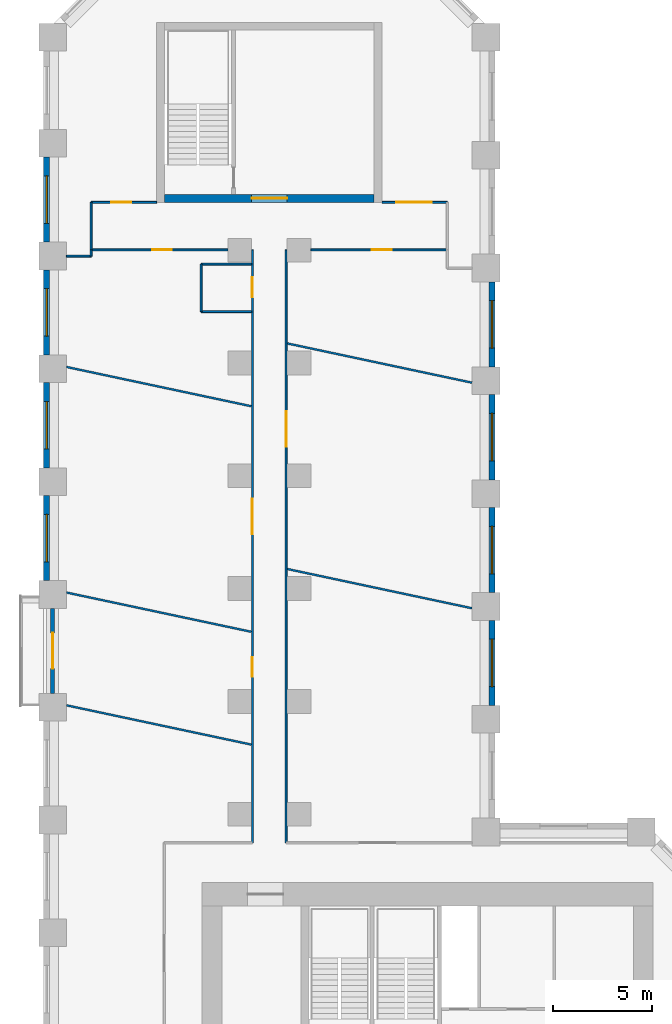
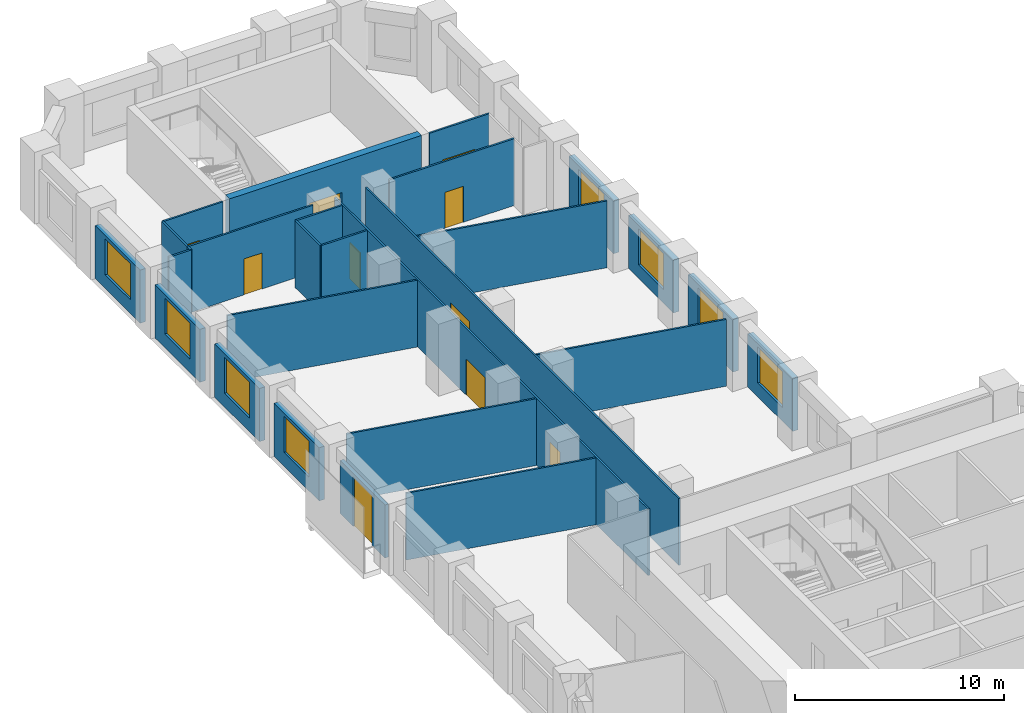
# One storey, part 8 of 11: 27 walls, 10 doors, 8 windows, 18 openings.
"""IFC4 building model written with IfcOpenShell, lengths in metres."""

from ifc_helpers import new_model, si_unit, direction, frame, frame_2d, origin, place, context, subcontext, project, spatial, rectangle, extrude, material, layer, layer_set, type_object, element, fill, save


model = new_model("IFC4")

# Units and contexts
model_context = context("Model", 3, precision=1e-05, world=origin(), true_north=direction((0.0, 1.0)))
body_context = subcontext(model_context, "Body", "Model", "MODEL_VIEW")
ifc_project = project(units=[si_unit("LENGTHUNIT", "METRE"), si_unit("AREAUNIT", "SQUARE_METRE"), si_unit("VOLUMEUNIT", "CUBIC_METRE"), si_unit("PLANEANGLEUNIT", "RADIAN"), si_unit("MASSUNIT", "GRAM", prefix="KILO")], contexts=[model_context])

# Site, building, storey
site_placement = place(None, origin())
site = spatial("IfcSite", under=ifc_project, at=site_placement, CompositionType="ELEMENT")
building_placement = place(site_placement, origin())
building = spatial("IfcBuilding", under=site, at=building_placement, Name="Meshkara Civic Tower", CompositionType="ELEMENT")
storey_placement = place(building_placement, frame((0.0, 0.0, 37.199951171875)))
storey = spatial("IfcBuildingStorey", under=building, at=storey_placement, Name="L07", CompositionType="ELEMENT", Elevation=37.199951171875)

# Wall, opening, door
ifc_material_1 = material(Name="Corridor wall 100")
ifc_layer_1 = layer(ifc_material_1, 0.10009765625)
ifc_layer_set_1 = layer_set([ifc_layer_1], Name="Corridor wall 100")
wall_type_1 = type_object("IfcWallType", Name="Corridor wall 100", PredefinedType="PARTITIONING", material=ifc_layer_set_1)
wall_1_placement = place(storey_placement, frame((2.39990234375, 68.8701171875, 0.0), z_axis=(0.0, 0.0, 1.0), x_axis=(1.0, 0.0, 0.0)))
wall_1 = element("IfcWall", 1, at=wall_1_placement, inside=storey, type_object=wall_type_1, Name="L07-W001", PredefinedType="PARTITIONING", context=body_context, shape_type="SweptSolid", body=[
    extrude(rectangle(XDim=6.900146484375, YDim=0.10009765625, at=frame_2d((3.4501953125, 0.0))), origin(), (0.0, 0.0, 1.0), 3.900146484375),
])
opening_1_placement = place(wall_1_placement, frame((3.080078125, 0.0, 0.0)))
opening_1 = element("IfcOpeningElement", 2, at=opening_1_placement, cuts=wall_1, Name="Opening L07-D024", PredefinedType="OPENING", context=body_context, shape_type="SweptSolid", body=[
    extrude(rectangle(XDim=1.0, YDim=2.10009765625, at=frame_2d((0.5, 1.050048828125))), frame((0.0, 0.06005859375, 0.0), z_axis=(0.0, -1.0, 0.0), x_axis=(1.0, 0.0, 0.0)), (0.0, 0.0, 1.0), 0.1201171875),
])
ifc_material_2 = material(Name="Door 1000 x 2100")
door_type_1 = type_object("IfcDoorType", Name="Door 1000 x 2100", OperationType="SINGLE_SWING_LEFT", PredefinedType="DOOR", material=ifc_material_2)
door_1_placement = place(opening_1_placement, origin())
door_1 = element("IfcDoor", 3, at=door_1_placement, inside=storey, type_object=door_type_1, Name="L07-D024", OperationType="SINGLE_SWING_LEFT", OverallHeight=2.10009765625, OverallWidth=1.0, PredefinedType="DOOR", context=body_context, shape_type="SweptSolid", body=[
    extrude(rectangle(XDim=1.0, YDim=2.10009765625, at=frame_2d((0.5, 1.050048828125))), frame((0.0, 0.02490234375, 0.0), z_axis=(0.0, -1.0, 0.0), x_axis=(1.0, 0.0, 0.0)), (0.0, 0.0, 1.0), 0.050048828125),
])
fill(opening_1, door_1)

# Wall
wall_2_placement = place(storey_placement, frame((2.39990234375, 71.27001953125, 0.0), z_axis=(0.0, 0.0, 1.0), x_axis=(0.0, -1.0, 0.0)))
element("IfcWall", 4, at=wall_2_placement, inside=storey, type_object=wall_type_1, Name="L07-W002", PredefinedType="PARTITIONING", context=body_context, shape_type="SweptSolid", body=[
    extrude(rectangle(XDim=2.39990234375, YDim=0.10009765625, at=frame_2d((1.199951171875, 0.0))), origin(), (0.0, 0.0, 1.0), 3.900146484375),
])

# Wall, opening, door
wall_3_placement = place(storey_placement, frame((5.699951171875, 71.27001953125, 0.0), z_axis=(0.0, 0.0, 1.0), x_axis=(-1.0, 0.0, 0.0)))
wall_3 = element("IfcWall", 5, at=wall_3_placement, inside=storey, type_object=wall_type_1, Name="L07-W003", PredefinedType="PARTITIONING", context=body_context, shape_type="SweptSolid", body=[
    extrude(rectangle(XDim=3.300048828125, YDim=0.10009765625, at=frame_2d((1.64990234375, 0.0))), origin(), (0.0, 0.0, 1.0), 3.900146484375),
])
opening_2_placement = place(wall_3_placement, frame((1.280029296875, 0.0, 0.0)))
opening_2 = element("IfcOpeningElement", 6, at=opening_2_placement, cuts=wall_3, Name="Opening L07-D023", PredefinedType="OPENING", context=body_context, shape_type="SweptSolid", body=[
    extrude(rectangle(XDim=1.0, YDim=2.10009765625, at=frame_2d((0.5, 1.050048828125))), frame((0.0, 0.06005859375, 0.0), z_axis=(0.0, -1.0, 0.0), x_axis=(1.0, 0.0, 0.0)), (0.0, 0.0, 1.0), 0.1201171875),
])
door_2_placement = place(opening_2_placement, origin())
door_2 = element("IfcDoor", 7, at=door_2_placement, inside=storey, type_object=door_type_1, Name="L07-D023", OperationType="SINGLE_SWING_LEFT", OverallHeight=2.10009765625, OverallWidth=1.0, PredefinedType="DOOR", context=body_context, shape_type="SweptSolid", body=[
    extrude(rectangle(XDim=1.0, YDim=2.10009765625, at=frame_2d((0.5, 1.050048828125))), frame((0.0, 0.02490234375, 0.0), z_axis=(0.0, -1.0, 0.0), x_axis=(1.0, 0.0, 0.0)), (0.0, 0.0, 1.0), 0.050048828125),
])
fill(opening_2, door_2)

# Wall, openings, doors
wall_4_placement = place(storey_placement, frame((10.550048828125, 68.8701171875, 0.0), z_axis=(0.0, 0.0, 1.0), x_axis=(0.0, -1.0, 0.0)))
wall_4 = element("IfcWall", 8, at=wall_4_placement, inside=storey, type_object=wall_type_1, Name="L07-W012", PredefinedType="PARTITIONING", context=body_context, shape_type="SweptSolid", body=[
    extrude(rectangle(XDim=29.97021484375, YDim=0.10009765625, at=frame_2d((14.985107421875, 0.0))), origin(), (0.0, 0.0, 1.0), 3.900146484375),
])
opening_3_placement = place(wall_4_placement, frame((20.583984375, 0.0, 0.0)))
opening_3 = element("IfcOpeningElement", 9, at=opening_3_placement, cuts=wall_4, Name="Opening L07-D020", PredefinedType="OPENING", context=body_context, shape_type="SweptSolid", body=[
    extrude(rectangle(XDim=1.0, YDim=2.10009765625, at=frame_2d((0.5, 1.050048828125))), frame((0.0, 0.06005859375, 0.0), z_axis=(0.0, -1.0, 0.0), x_axis=(1.0, 0.0, 0.0)), (0.0, 0.0, 1.0), 0.1201171875),
])
opening_4_placement = place(wall_4_placement, frame((12.583984375, 0.0, 0.0)))
opening_4 = element("IfcOpeningElement", 10, at=opening_4_placement, cuts=wall_4, Name="Opening L07-D021", PredefinedType="OPENING", context=body_context, shape_type="SweptSolid", body=[
    extrude(rectangle(XDim=1.800048828125, YDim=2.10009765625, at=frame_2d((0.89990234375, 1.050048828125))), frame((0.0, 0.06005859375, 0.0), z_axis=(0.0, -1.0, 0.0), x_axis=(1.0, 0.0, 0.0)), (0.0, 0.0, 1.0), 0.1201171875),
])
opening_5_placement = place(wall_4_placement, frame((1.39697265625, 0.0, 0.0)))
opening_5 = element("IfcOpeningElement", 11, at=opening_5_placement, cuts=wall_4, Name="Opening L07-D025", PredefinedType="OPENING", context=body_context, shape_type="SweptSolid", body=[
    extrude(rectangle(XDim=1.0, YDim=2.10009765625, at=frame_2d((0.5, 1.050048828125))), frame((0.0, 0.06005859375, 0.0), z_axis=(0.0, -1.0, 0.0), x_axis=(1.0, 0.0, 0.0)), (0.0, 0.0, 1.0), 0.1201171875),
])
door_3_placement = place(opening_3_placement, origin())
door_3 = element("IfcDoor", 12, at=door_3_placement, inside=storey, type_object=door_type_1, Name="L07-D020", OperationType="SINGLE_SWING_RIGHT", OverallHeight=2.10009765625, OverallWidth=1.0, PredefinedType="DOOR", context=body_context, shape_type="SweptSolid", body=[
    extrude(rectangle(XDim=1.0, YDim=2.10009765625, at=frame_2d((0.5, 1.050048828125))), frame((0.0, 0.02490234375, 0.0), z_axis=(0.0, -1.0, 0.0), x_axis=(1.0, 0.0, 0.0)), (0.0, 0.0, 1.0), 0.050048828125),
])
fill(opening_3, door_3)
door_4_placement = place(opening_5_placement, origin())
door_4 = element("IfcDoor", 13, at=door_4_placement, inside=storey, type_object=door_type_1, Name="L07-D025", OperationType="SINGLE_SWING_RIGHT", OverallHeight=2.10009765625, OverallWidth=1.0, PredefinedType="DOOR", context=body_context, shape_type="SweptSolid", body=[
    extrude(rectangle(XDim=1.0, YDim=2.10009765625, at=frame_2d((0.5, 1.050048828125))), frame((0.0, 0.02490234375, 0.0), z_axis=(0.0, -1.0, 0.0), x_axis=(1.0, 0.0, 0.0)), (0.0, 0.0, 1.0), 0.050048828125),
])
fill(opening_5, door_4)
ifc_material_3 = material(Name="Door pair 1800 x 2100")
door_type_2 = type_object("IfcDoorType", Name="Door pair 1800 x 2100", OperationType="SINGLE_SWING_LEFT", PredefinedType="DOOR", material=ifc_material_3)
door_5_placement = place(opening_4_placement, origin())
door_5 = element("IfcDoor", 14, at=door_5_placement, inside=storey, type_object=door_type_2, Name="L07-D021", OperationType="DOUBLE_DOOR_SINGLE_SWING", OverallHeight=2.10009765625, OverallWidth=1.800048828125, PredefinedType="DOOR", context=body_context, shape_type="SweptSolid", body=[
    extrude(rectangle(XDim=1.800048828125, YDim=2.10009765625, at=frame_2d((0.89990234375, 1.050048828125))), frame((0.0, 0.02490234375, 0.0), z_axis=(0.0, -1.0, 0.0), x_axis=(1.0, 0.0, 0.0)), (0.0, 0.0, 1.0), 0.050048828125),
])
fill(opening_4, door_5)

# Wall, opening, door
wall_5_placement = place(storey_placement, frame((12.25, 38.89990234375, 0.0), z_axis=(0.0, 0.0, 1.0), x_axis=(0.0, 1.0, 0.0)))
wall_5 = element("IfcWall", 15, at=wall_5_placement, inside=storey, type_object=wall_type_1, Name="L07-W013", PredefinedType="PARTITIONING", context=body_context, shape_type="SweptSolid", body=[
    extrude(rectangle(XDim=29.97021484375, YDim=0.10009765625, at=frame_2d((14.985107421875, 0.0))), origin(), (0.0, 0.0, 1.0), 3.900146484375),
])
opening_6_placement = place(wall_5_placement, frame((20.02001953125, 0.0, 0.0)))
opening_6 = element("IfcOpeningElement", 16, at=opening_6_placement, cuts=wall_5, Name="Opening L07-D022", PredefinedType="OPENING", context=body_context, shape_type="SweptSolid", body=[
    extrude(rectangle(XDim=1.800048828125, YDim=2.10009765625, at=frame_2d((0.89990234375, 1.050048828125))), frame((0.0, 0.06005859375, 0.0), z_axis=(0.0, -1.0, 0.0), x_axis=(1.0, 0.0, 0.0)), (0.0, 0.0, 1.0), 0.1201171875),
])
door_6_placement = place(opening_6_placement, origin())
door_6 = element("IfcDoor", 17, at=door_6_placement, inside=storey, type_object=door_type_2, Name="L07-D022", OperationType="DOUBLE_DOOR_SINGLE_SWING", OverallHeight=2.10009765625, OverallWidth=1.800048828125, PredefinedType="DOOR", context=body_context, shape_type="SweptSolid", body=[
    extrude(rectangle(XDim=1.800048828125, YDim=2.10009765625, at=frame_2d((0.89990234375, 1.050048828125))), frame((0.0, 0.02490234375, 0.0), z_axis=(0.0, -1.0, 0.0), x_axis=(1.0, 0.0, 0.0)), (0.0, 0.0, 1.0), 0.050048828125),
])
fill(opening_6, door_6)

wall_6_placement = place(storey_placement, frame((13.5, 68.8701171875, 0.0), z_axis=(0.0, 0.0, 1.0), x_axis=(1.0, 0.0, 0.0)))
wall_6 = element("IfcWall", 18, at=wall_6_placement, inside=storey, type_object=wall_type_1, Name="L07-W015", PredefinedType="PARTITIONING", context=body_context, shape_type="SweptSolid", body=[
    extrude(rectangle(XDim=6.89990234375, YDim=0.10009765625, at=frame_2d((3.449951171875, 0.0))), origin(), (0.0, 0.0, 1.0), 3.900146484375),
])
opening_7_placement = place(wall_6_placement, frame((3.080078125, 0.0, 0.0)))
opening_7 = element("IfcOpeningElement", 19, at=opening_7_placement, cuts=wall_6, Name="Opening L07-D026", PredefinedType="OPENING", context=body_context, shape_type="SweptSolid", body=[
    extrude(rectangle(XDim=1.0, YDim=2.10009765625, at=frame_2d((0.5, 1.050048828125))), frame((0.0, 0.06005859375, 0.0), z_axis=(0.0, -1.0, 0.0), x_axis=(1.0, 0.0, 0.0)), (0.0, 0.0, 1.0), 0.1201171875),
])
door_7_placement = place(opening_7_placement, origin())
door_7 = element("IfcDoor", 20, at=door_7_placement, inside=storey, type_object=door_type_1, Name="L07-D026", OperationType="SINGLE_SWING_LEFT", OverallHeight=2.10009765625, OverallWidth=1.0, PredefinedType="DOOR", context=body_context, shape_type="SweptSolid", body=[
    extrude(rectangle(XDim=1.0, YDim=2.10009765625, at=frame_2d((0.5, 1.050048828125))), frame((0.0, 0.02490234375, 0.0), z_axis=(0.0, -1.0, 0.0), x_axis=(1.0, 0.0, 0.0)), (0.0, 0.0, 1.0), 0.050048828125),
])
fill(opening_7, door_7)

wall_7_placement = place(storey_placement, frame((20.39990234375, 71.27001953125, 0.0), z_axis=(0.0, 0.0, 1.0), x_axis=(-1.0, 0.0, 0.0)))
wall_7 = element("IfcWall", 21, at=wall_7_placement, inside=storey, type_object=wall_type_1, Name="L07-W017", PredefinedType="PARTITIONING", context=body_context, shape_type="SweptSolid", body=[
    extrude(rectangle(XDim=3.2998046875, YDim=0.10009765625, at=frame_2d((1.64990234375, 0.0))), origin(), (0.0, 0.0, 1.0), 3.900146484375),
])
opening_8_placement = place(wall_7_placement, frame((0.780029296875, 0.0, 0.0)))
opening_8 = element("IfcOpeningElement", 22, at=opening_8_placement, cuts=wall_7, Name="Opening L07-D027", PredefinedType="OPENING", context=body_context, shape_type="SweptSolid", body=[
    extrude(rectangle(XDim=1.800048828125, YDim=2.10009765625, at=frame_2d((0.89990234375, 1.050048828125))), frame((0.0, 0.06005859375, 0.0), z_axis=(0.0, -1.0, 0.0), x_axis=(1.0, 0.0, 0.0)), (0.0, 0.0, 1.0), 0.1201171875),
])
door_8_placement = place(opening_8_placement, origin())
door_8 = element("IfcDoor", 23, at=door_8_placement, inside=storey, type_object=door_type_2, Name="L07-D027", OperationType="DOUBLE_DOOR_SINGLE_SWING", OverallHeight=2.10009765625, OverallWidth=1.800048828125, PredefinedType="DOOR", context=body_context, shape_type="SweptSolid", body=[
    extrude(rectangle(XDim=1.800048828125, YDim=2.10009765625, at=frame_2d((0.89990234375, 1.050048828125))), frame((0.0, 0.02490234375, 0.0), z_axis=(0.0, -1.0, 0.0), x_axis=(1.0, 0.0, 0.0)), (0.0, 0.0, 1.0), 0.050048828125),
])
fill(opening_8, door_8)

# Wall, opening, window
ifc_material_4 = material(Name="Insulated infill panel with bronze anodised aluminium cladding", Category="aluminium")
ifc_layer_2 = layer(ifc_material_4, 0.300048828125)
ifc_layer_set_2 = layer_set([ifc_layer_2], Name="EXTERNAL INFILL WALL 300")
wall_type_2 = type_object("IfcWallType", Name="EXTERNAL INFILL WALL 300", PredefinedType="SOLIDWALL", material=ifc_layer_set_2)
wall_8_placement = place(storey_placement, frame((22.64990234375, 45.85009765625, 0.0), z_axis=(0.0, 0.0, 1.0), x_axis=(0.0, 1.0, 0.0)))
wall_8 = element("IfcWall", 24, at=wall_8_placement, inside=storey, type_object=wall_type_2, Name="External wall", PredefinedType="SOLIDWALL", context=body_context, shape_type="SweptSolid", body=[
    extrude(rectangle(XDim=4.2998046875, YDim=0.300048828125, at=frame_2d((2.14990234375, 0.0))), origin(), (0.0, 0.0, 1.0), 3.10009765625),
])
opening_9_placement = place(wall_8_placement, frame((0.949951171875, 0.0, 0.800048828125)))
opening_9 = element("IfcOpeningElement", 25, at=opening_9_placement, cuts=wall_8, Name="Opening W7", PredefinedType="OPENING", context=body_context, shape_type="SweptSolid", body=[
    extrude(rectangle(XDim=2.39990234375, YDim=2.10009765625, at=frame_2d((1.199951171875, 1.050048828125))), frame((0.0, 0.159912109375, 0.0), z_axis=(0.0, -1.0, 0.0), x_axis=(1.0, 0.0, 0.0)), (0.0, 0.0, 1.0), 0.320068359375),
])
ifc_material_5 = material(Name="Tinted double glazing", Category="glass")
window_type = type_object("IfcWindowType", Name="WINDOW 2400x2100", PartitioningType="DOUBLE_PANEL_VERTICAL", PredefinedType="WINDOW", material=ifc_material_5)
window_1_placement = place(opening_9_placement, origin())
window_1 = element("IfcWindow", 26, at=window_1_placement, inside=storey, type_object=window_type, Name="Window", OverallHeight=2.10009765625, OverallWidth=2.39990234375, PartitioningType="DOUBLE_PANEL_VERTICAL", PredefinedType="WINDOW", context=body_context, shape_type="SweptSolid", body=[
    extrude(rectangle(XDim=2.39990234375, YDim=2.10009765625, at=frame_2d((1.199951171875, 1.050048828125))), frame((0.0, 0.030029296875, 0.0), z_axis=(0.0, -1.0, 0.0), x_axis=(1.0, 0.0, 0.0)), (0.0, 0.0, 1.0), 0.06005859375),
])
fill(opening_9, window_1)

wall_9_placement = place(storey_placement, frame((22.64990234375, 51.550048828125, 0.0), z_axis=(0.0, 0.0, 1.0), x_axis=(0.0, 1.0, 0.0)))
wall_9 = element("IfcWall", 27, at=wall_9_placement, inside=storey, type_object=wall_type_2, Name="External wall", PredefinedType="SOLIDWALL", context=body_context, shape_type="SweptSolid", body=[
    extrude(rectangle(XDim=4.300048828125, YDim=0.300048828125, at=frame_2d((2.14990234375, 0.0))), origin(), (0.0, 0.0, 1.0), 3.10009765625),
])
opening_10_placement = place(wall_9_placement, frame((0.949951171875, 0.0, 0.800048828125)))
opening_10 = element("IfcOpeningElement", 28, at=opening_10_placement, cuts=wall_9, Name="Opening W7", PredefinedType="OPENING", context=body_context, shape_type="SweptSolid", body=[
    extrude(rectangle(XDim=2.39990234375, YDim=2.10009765625, at=frame_2d((1.199951171875, 1.050048828125))), frame((0.0, 0.159912109375, 0.0), z_axis=(0.0, -1.0, 0.0), x_axis=(1.0, 0.0, 0.0)), (0.0, 0.0, 1.0), 0.320068359375),
])
window_2_placement = place(opening_10_placement, origin())
window_2 = element("IfcWindow", 29, at=window_2_placement, inside=storey, type_object=window_type, Name="Window", OverallHeight=2.10009765625, OverallWidth=2.39990234375, PartitioningType="DOUBLE_PANEL_VERTICAL", PredefinedType="WINDOW", context=body_context, shape_type="SweptSolid", body=[
    extrude(rectangle(XDim=2.39990234375, YDim=2.10009765625, at=frame_2d((1.199951171875, 1.050048828125))), frame((0.0, 0.030029296875, 0.0), z_axis=(0.0, -1.0, 0.0), x_axis=(1.0, 0.0, 0.0)), (0.0, 0.0, 1.0), 0.06005859375),
])
fill(opening_10, window_2)

wall_10_placement = place(storey_placement, frame((22.64990234375, 57.25, 0.0), z_axis=(0.0, 0.0, 1.0), x_axis=(0.0, 1.0, 0.0)))
wall_10 = element("IfcWall", 30, at=wall_10_placement, inside=storey, type_object=wall_type_2, Name="External wall", PredefinedType="SOLIDWALL", context=body_context, shape_type="SweptSolid", body=[
    extrude(rectangle(XDim=4.300048828125, YDim=0.300048828125, at=frame_2d((2.14990234375, 0.0))), origin(), (0.0, 0.0, 1.0), 3.10009765625),
])
opening_11_placement = place(wall_10_placement, frame((0.949951171875, 0.0, 0.800048828125)))
opening_11 = element("IfcOpeningElement", 31, at=opening_11_placement, cuts=wall_10, Name="Opening W7", PredefinedType="OPENING", context=body_context, shape_type="SweptSolid", body=[
    extrude(rectangle(XDim=2.39990234375, YDim=2.10009765625, at=frame_2d((1.199951171875, 1.050048828125))), frame((0.0, 0.159912109375, 0.0), z_axis=(0.0, -1.0, 0.0), x_axis=(1.0, 0.0, 0.0)), (0.0, 0.0, 1.0), 0.320068359375),
])
window_3_placement = place(opening_11_placement, origin())
window_3 = element("IfcWindow", 32, at=window_3_placement, inside=storey, type_object=window_type, Name="Window", OverallHeight=2.10009765625, OverallWidth=2.39990234375, PartitioningType="DOUBLE_PANEL_VERTICAL", PredefinedType="WINDOW", context=body_context, shape_type="SweptSolid", body=[
    extrude(rectangle(XDim=2.39990234375, YDim=2.10009765625, at=frame_2d((1.199951171875, 1.050048828125))), frame((0.0, 0.030029296875, 0.0), z_axis=(0.0, -1.0, 0.0), x_axis=(1.0, 0.0, 0.0)), (0.0, 0.0, 1.0), 0.06005859375),
])
fill(opening_11, window_3)

wall_11_placement = place(storey_placement, frame((22.64990234375, 62.949951171875, 0.0), z_axis=(0.0, 0.0, 1.0), x_axis=(0.0, 1.0, 0.0)))
wall_11 = element("IfcWall", 33, at=wall_11_placement, inside=storey, type_object=wall_type_2, Name="External wall", PredefinedType="SOLIDWALL", context=body_context, shape_type="SweptSolid", body=[
    extrude(rectangle(XDim=4.300048828125, YDim=0.300048828125, at=frame_2d((2.14990234375, 0.0))), origin(), (0.0, 0.0, 1.0), 3.10009765625),
])
opening_12_placement = place(wall_11_placement, frame((0.949951171875, 0.0, 0.800048828125)))
opening_12 = element("IfcOpeningElement", 34, at=opening_12_placement, cuts=wall_11, Name="Opening W7", PredefinedType="OPENING", context=body_context, shape_type="SweptSolid", body=[
    extrude(rectangle(XDim=2.39990234375, YDim=2.10009765625, at=frame_2d((1.199951171875, 1.050048828125))), frame((0.0, 0.159912109375, 0.0), z_axis=(0.0, -1.0, 0.0), x_axis=(1.0, 0.0, 0.0)), (0.0, 0.0, 1.0), 0.320068359375),
])
window_4_placement = place(opening_12_placement, origin())
window_4 = element("IfcWindow", 35, at=window_4_placement, inside=storey, type_object=window_type, Name="Window", OverallHeight=2.10009765625, OverallWidth=2.39990234375, PartitioningType="DOUBLE_PANEL_VERTICAL", PredefinedType="WINDOW", context=body_context, shape_type="SweptSolid", body=[
    extrude(rectangle(XDim=2.39990234375, YDim=2.10009765625, at=frame_2d((1.199951171875, 1.050048828125))), frame((0.0, 0.030029296875, 0.0), z_axis=(0.0, -1.0, 0.0), x_axis=(1.0, 0.0, 0.0)), (0.0, 0.0, 1.0), 0.06005859375),
])
fill(opening_12, window_4)

wall_12_placement = place(storey_placement, frame((0.14990234375, 73.554931640625, 0.0), z_axis=(0.0, 0.0, 1.0), x_axis=(0.0, -1.0, 0.0)))
wall_12 = element("IfcWall", 36, at=wall_12_placement, inside=storey, type_object=wall_type_2, Name="External wall", PredefinedType="SOLIDWALL", context=body_context, shape_type="SweptSolid", body=[
    extrude(rectangle(XDim=4.300048828125, YDim=0.300048828125, at=frame_2d((2.14990234375, 0.0))), origin(), (0.0, 0.0, 1.0), 3.10009765625),
])
opening_13_placement = place(wall_12_placement, frame((0.949951171875, 0.0, 0.800048828125)))
opening_13 = element("IfcOpeningElement", 37, at=opening_13_placement, cuts=wall_12, Name="Opening W7", PredefinedType="OPENING", context=body_context, shape_type="SweptSolid", body=[
    extrude(rectangle(XDim=2.39990234375, YDim=2.10009765625, at=frame_2d((1.199951171875, 1.050048828125))), frame((0.0, 0.159912109375, 0.0), z_axis=(0.0, -1.0, 0.0), x_axis=(1.0, 0.0, 0.0)), (0.0, 0.0, 1.0), 0.320068359375),
])
window_5_placement = place(opening_13_placement, origin())
window_5 = element("IfcWindow", 38, at=window_5_placement, inside=storey, type_object=window_type, Name="Window", OverallHeight=2.10009765625, OverallWidth=2.39990234375, PartitioningType="DOUBLE_PANEL_VERTICAL", PredefinedType="WINDOW", context=body_context, shape_type="SweptSolid", body=[
    extrude(rectangle(XDim=2.39990234375, YDim=2.10009765625, at=frame_2d((1.199951171875, 1.050048828125))), frame((0.0, 0.030029296875, 0.0), z_axis=(0.0, -1.0, 0.0), x_axis=(1.0, 0.0, 0.0)), (0.0, 0.0, 1.0), 0.06005859375),
])
fill(opening_13, window_5)

wall_13_placement = place(storey_placement, frame((0.14990234375, 67.85498046875, 0.0), z_axis=(0.0, 0.0, 1.0), x_axis=(0.0, -1.0, 0.0)))
wall_13 = element("IfcWall", 39, at=wall_13_placement, inside=storey, type_object=wall_type_2, Name="External wall", PredefinedType="SOLIDWALL", context=body_context, shape_type="SweptSolid", body=[
    extrude(rectangle(XDim=4.300048828125, YDim=0.300048828125, at=frame_2d((2.14990234375, 0.0))), origin(), (0.0, 0.0, 1.0), 3.10009765625),
])
opening_14_placement = place(wall_13_placement, frame((0.949951171875, 0.0, 0.800048828125)))
opening_14 = element("IfcOpeningElement", 40, at=opening_14_placement, cuts=wall_13, Name="Opening W7", PredefinedType="OPENING", context=body_context, shape_type="SweptSolid", body=[
    extrude(rectangle(XDim=2.39990234375, YDim=2.10009765625, at=frame_2d((1.199951171875, 1.050048828125))), frame((0.0, 0.159912109375, 0.0), z_axis=(0.0, -1.0, 0.0), x_axis=(1.0, 0.0, 0.0)), (0.0, 0.0, 1.0), 0.320068359375),
])
window_6_placement = place(opening_14_placement, origin())
window_6 = element("IfcWindow", 41, at=window_6_placement, inside=storey, type_object=window_type, Name="Window", OverallHeight=2.10009765625, OverallWidth=2.39990234375, PartitioningType="DOUBLE_PANEL_VERTICAL", PredefinedType="WINDOW", context=body_context, shape_type="SweptSolid", body=[
    extrude(rectangle(XDim=2.39990234375, YDim=2.10009765625, at=frame_2d((1.199951171875, 1.050048828125))), frame((0.0, 0.030029296875, 0.0), z_axis=(0.0, -1.0, 0.0), x_axis=(1.0, 0.0, 0.0)), (0.0, 0.0, 1.0), 0.06005859375),
])
fill(opening_14, window_6)

wall_14_placement = place(storey_placement, frame((0.14990234375, 62.155029296875, 0.0), z_axis=(0.0, 0.0, 1.0), x_axis=(0.0, -1.0, 0.0)))
wall_14 = element("IfcWall", 42, at=wall_14_placement, inside=storey, type_object=wall_type_2, Name="External wall", PredefinedType="SOLIDWALL", context=body_context, shape_type="SweptSolid", body=[
    extrude(rectangle(XDim=4.300048828125, YDim=0.300048828125, at=frame_2d((2.14990234375, 0.0))), origin(), (0.0, 0.0, 1.0), 3.10009765625),
])
opening_15_placement = place(wall_14_placement, frame((0.949951171875, 0.0, 0.800048828125)))
opening_15 = element("IfcOpeningElement", 43, at=opening_15_placement, cuts=wall_14, Name="Opening W7", PredefinedType="OPENING", context=body_context, shape_type="SweptSolid", body=[
    extrude(rectangle(XDim=2.39990234375, YDim=2.10009765625, at=frame_2d((1.199951171875, 1.050048828125))), frame((0.0, 0.159912109375, 0.0), z_axis=(0.0, -1.0, 0.0), x_axis=(1.0, 0.0, 0.0)), (0.0, 0.0, 1.0), 0.320068359375),
])
window_7_placement = place(opening_15_placement, origin())
window_7 = element("IfcWindow", 44, at=window_7_placement, inside=storey, type_object=window_type, Name="Window", OverallHeight=2.10009765625, OverallWidth=2.39990234375, PartitioningType="DOUBLE_PANEL_VERTICAL", PredefinedType="WINDOW", context=body_context, shape_type="SweptSolid", body=[
    extrude(rectangle(XDim=2.39990234375, YDim=2.10009765625, at=frame_2d((1.199951171875, 1.050048828125))), frame((0.0, 0.030029296875, 0.0), z_axis=(0.0, -1.0, 0.0), x_axis=(1.0, 0.0, 0.0)), (0.0, 0.0, 1.0), 0.06005859375),
])
fill(opening_15, window_7)

wall_15_placement = place(storey_placement, frame((0.14990234375, 56.455078125, 0.0), z_axis=(0.0, 0.0, 1.0), x_axis=(0.0, -1.0, 0.0)))
wall_15 = element("IfcWall", 45, at=wall_15_placement, inside=storey, type_object=wall_type_2, Name="External wall", PredefinedType="SOLIDWALL", context=body_context, shape_type="SweptSolid", body=[
    extrude(rectangle(XDim=4.300048828125, YDim=0.300048828125, at=frame_2d((2.14990234375, 0.0))), origin(), (0.0, 0.0, 1.0), 3.10009765625),
])
opening_16_placement = place(wall_15_placement, frame((0.949951171875, 0.0, 0.800048828125)))
opening_16 = element("IfcOpeningElement", 46, at=opening_16_placement, cuts=wall_15, Name="Opening W7", PredefinedType="OPENING", context=body_context, shape_type="SweptSolid", body=[
    extrude(rectangle(XDim=2.39990234375, YDim=2.10009765625, at=frame_2d((1.199951171875, 1.050048828125))), frame((0.0, 0.159912109375, 0.0), z_axis=(0.0, -1.0, 0.0), x_axis=(1.0, 0.0, 0.0)), (0.0, 0.0, 1.0), 0.320068359375),
])
window_8_placement = place(opening_16_placement, origin())
window_8 = element("IfcWindow", 47, at=window_8_placement, inside=storey, type_object=window_type, Name="Window", OverallHeight=2.10009765625, OverallWidth=2.39990234375, PartitioningType="DOUBLE_PANEL_VERTICAL", PredefinedType="WINDOW", context=body_context, shape_type="SweptSolid", body=[
    extrude(rectangle(XDim=2.39990234375, YDim=2.10009765625, at=frame_2d((1.199951171875, 1.050048828125))), frame((0.0, 0.030029296875, 0.0), z_axis=(0.0, -1.0, 0.0), x_axis=(1.0, 0.0, 0.0)), (0.0, 0.0, 1.0), 0.06005859375),
])
fill(opening_16, window_8)

# Wall, opening, door
ifc_material_6 = material(Name="Concrete C80", Category="concrete")
ifc_layer_3 = layer(ifc_material_6, 0.39990234375)
ifc_layer_set_3 = layer_set([ifc_layer_3], Name="End core ring wall 400 C80")
wall_type_3 = type_object("IfcWallType", Name="End core ring wall 400 C80", PredefinedType="SHEAR", material=ifc_layer_set_3)
wall_16_placement = place(storey_placement, frame((6.10009765625, 71.469970703125, -0.300048828125), z_axis=(0.0, 0.0, 1.0), x_axis=(1.0, 0.0, 0.0)))
wall_16 = element("IfcWall", 48, at=wall_16_placement, inside=storey, type_object=wall_type_3, Name="L07-C028", PredefinedType="SHEAR", context=body_context, shape_type="SweptSolid", body=[
    extrude(rectangle(XDim=10.599853515625, YDim=0.39990234375, at=frame_2d((5.2998046875, 0.0))), origin(), (0.0, 0.0, 1.0), 4.2001953125),
])
opening_17_placement = place(wall_16_placement, frame((4.39990234375, 0.0, 0.300048828125)))
opening_17 = element("IfcOpeningElement", 49, at=opening_17_placement, cuts=wall_16, Name="Opening L07-K102", PredefinedType="OPENING", context=body_context, shape_type="SweptSolid", body=[
    extrude(rectangle(XDim=1.800048828125, YDim=2.10009765625, at=frame_2d((0.89990234375, 1.050048828125))), frame((0.0, 0.2099609375, 0.0), z_axis=(0.0, -1.0, 0.0), x_axis=(1.0, 0.0, 0.0)), (0.0, 0.0, 1.0), 0.419921875),
])
ifc_material_7 = material(Name="Fire-rated door leaf in steel frame", Category="steel")
door_type_3 = type_object("IfcDoorType", Name="Core double door 1800 EI 60", OperationType="DOUBLE_DOOR_SINGLE_SWING", PredefinedType="DOOR", material=ifc_material_7)
door_9_placement = place(opening_17_placement, origin())
door_9 = element("IfcDoor", 50, at=door_9_placement, inside=storey, type_object=door_type_3, Name="L07-K102", OperationType="DOUBLE_DOOR_SINGLE_SWING", OverallHeight=2.10009765625, OverallWidth=1.800048828125, PredefinedType="DOOR", context=body_context, shape_type="SweptSolid", body=[
    extrude(rectangle(XDim=1.800048828125, YDim=2.10009765625, at=frame_2d((0.89990234375, 1.050048828125))), frame((0.0, 0.02490234375, 0.0), z_axis=(0.0, -1.0, 0.0), x_axis=(1.0, 0.0, 0.0)), (0.0, 0.0, 1.0), 0.050048828125),
])
fill(opening_17, door_9)

ifc_material_8 = material(Name="Insulated infill panel with bronze anodised aluminium cladding", Category="aluminium")
ifc_layer_4 = layer(ifc_material_8, 0.199951171875)
ifc_layer_set_4 = layer_set([ifc_layer_4], Name="LOGGIA BACK WALL 200")
wall_type_4 = type_object("IfcWallType", Name="LOGGIA BACK WALL 200", PredefinedType="SOLIDWALL", material=ifc_layer_set_4)
wall_17_placement = place(storey_placement, frame((0.449951171875, 50.7548828125, 0.0), z_axis=(0.0, 0.0, 1.0), x_axis=(0.0, -1.0, 0.0)))
wall_17 = element("IfcWall", 51, at=wall_17_placement, inside=storey, type_object=wall_type_4, Name="Loggia wall", PredefinedType="SOLIDWALL", context=body_context, shape_type="SweptSolid", body=[
    extrude(rectangle(XDim=4.298828125, YDim=0.199951171875, at=frame_2d((2.1494140625, 0.0))), origin(), (0.0, 0.0, 1.0), 3.10009765625),
])
opening_18_placement = place(wall_17_placement, frame((1.2490234375, 0.0, 0.0)))
opening_18 = element("IfcOpeningElement", 52, at=opening_18_placement, cuts=wall_17, Name="Opening L07-L001", PredefinedType="OPENING", context=body_context, shape_type="SweptSolid", body=[
    extrude(rectangle(XDim=1.800048828125, YDim=2.89990234375, at=frame_2d((0.89990234375, 1.449951171875))), frame((0.0, 0.10986328125, 0.0), z_axis=(0.0, -1.0, 0.0), x_axis=(1.0, 0.0, 0.0)), (0.0, 0.0, 1.0), 0.219970703125),
])
ifc_material_9 = material(Name="Tinted double glazing", Category="glass")
door_type_4 = type_object("IfcDoorType", Name="LOGGIA DOOR 1800x2900", OperationType="DOUBLE_DOOR_SINGLE_SWING", PredefinedType="DOOR", material=ifc_material_9)
door_10_placement = place(opening_18_placement, origin())
door_10 = element("IfcDoor", 53, at=door_10_placement, inside=storey, type_object=door_type_4, Name="L07-L001", OperationType="DOUBLE_DOOR_SINGLE_SWING", OverallHeight=2.89990234375, OverallWidth=1.800048828125, PredefinedType="DOOR", context=body_context, shape_type="SweptSolid", body=[
    extrude(rectangle(XDim=1.800048828125, YDim=2.89990234375, at=frame_2d((0.89990234375, 1.449951171875))), frame((0.0, 0.02490234375, 0.0), z_axis=(0.0, -1.0, 0.0), x_axis=(1.0, 0.0, 0.0)), (0.0, 0.0, 1.0), 0.050048828125),
])
fill(opening_18, door_10)

# Walls
ifc_material_10 = material(Name="Partition 100")
ifc_layer_5 = layer(ifc_material_10, 0.10009765625)
ifc_layer_set_5 = layer_set([ifc_layer_5], Name="Partition 100")
wall_type_5 = type_object("IfcWallType", Name="Partition 100", PredefinedType="PARTITIONING", material=ifc_layer_set_5)
wall_18_placement = place(storey_placement, frame((2.39990234375, 68.554931640625, 0.0), z_axis=(0.0, 0.0, 1.0), x_axis=(-1.0, 0.0, 0.0)))
element("IfcWall", 54, at=wall_18_placement, inside=storey, type_object=wall_type_5, Name="L07-W031", PredefinedType="PARTITIONING", context=body_context, shape_type="SweptSolid", body=[
    extrude(rectangle(XDim=1.25, YDim=0.10009765625, at=frame_2d((0.625, 0.0))), origin(), (0.0, 0.0, 1.0), 3.900146484375),
])
wall_19_placement = place(storey_placement, frame((2.39990234375, 68.8740234375, 0.0), z_axis=(0.0, 0.0, 1.0), x_axis=(0.0, -1.0, 0.0)))
element("IfcWall", 55, at=wall_19_placement, inside=storey, type_object=wall_type_5, Name="L07-W032", PredefinedType="PARTITIONING", context=body_context, shape_type="SweptSolid", body=[
    extrude(rectangle(XDim=0.319091796875, YDim=0.10009765625, at=frame_2d((0.15966796875, 0.0))), origin(), (0.0, 0.0, 1.0), 3.900146484375),
])
wall_20_placement = place(storey_placement, frame((7.949951171875, 65.7529296875, 0.0), z_axis=(0.0, 0.0, 1.0), x_axis=(0.0, 1.0, 0.0)))
element("IfcWall", 56, at=wall_20_placement, inside=storey, type_object=wall_type_5, Name="L07-W035", PredefinedType="PARTITIONING", context=body_context, shape_type="SweptSolid", body=[
    extrude(rectangle(XDim=2.400146484375, YDim=0.10009765625, at=frame_2d((1.2001953125, 0.0))), origin(), (0.0, 0.0, 1.0), 3.900146484375),
])
wall_21_placement = place(storey_placement, frame((7.949951171875, 68.153076171875, 0.0), z_axis=(0.0, 0.0, 1.0), x_axis=(1.0, 0.0, 0.0)))
element("IfcWall", 57, at=wall_21_placement, inside=storey, type_object=wall_type_5, Name="L07-W036", PredefinedType="PARTITIONING", context=body_context, shape_type="SweptSolid", body=[
    extrude(rectangle(XDim=2.550048828125, YDim=0.10009765625, at=frame_2d((1.27490234375, 0.0))), origin(), (0.0, 0.0, 1.0), 3.900146484375),
])
for number, where, z_axis, x_axis, name in (
    (58, (10.489990234375, 43.865966796875, 0.0), (0.0, 0.0, 1.0), (-0.978151637494, 0.207892698446, 0.0), "L07-W038"),
    (59, (10.489990234375, 49.56591796875, 0.0), (0.0, 0.0, 1.0), (-0.978151637494, 0.207892698446, 0.0), "L07-W039"),
):
    element("IfcWall", number, at=place(storey_placement, frame(where, z_axis=z_axis, x_axis=x_axis)), inside=storey, type_object=wall_type_5, Name=name, PredefinedType="PARTITIONING", context=body_context, shape_type="SweptSolid", body=[
        extrude(rectangle(XDim=9.548828125, YDim=0.10009765625, at=frame_2d((4.7744140625, 0.0))), origin(), (0.0, 0.0, 1.0), 3.900146484375),
    ])
wall_22_placement = place(storey_placement, frame((10.489990234375, 60.966064453125, 0.0), z_axis=(0.0, 0.0, 1.0), x_axis=(-0.978156836466, 0.207868235368, 0.0)))
element("IfcWall", 60, at=wall_22_placement, inside=storey, type_object=wall_type_5, Name="L07-W040", PredefinedType="PARTITIONING", context=body_context, shape_type="SweptSolid", body=[
    extrude(rectangle(XDim=9.548583984375, YDim=0.10009765625, at=frame_2d((4.7744140625, 0.0))), origin(), (0.0, 0.0, 1.0), 3.900146484375),
])
wall_23_placement = place(storey_placement, frame((10.5, 65.7529296875, 0.0), z_axis=(0.0, 0.0, 1.0), x_axis=(-1.0, 0.0, 0.0)))
element("IfcWall", 61, at=wall_23_placement, inside=storey, type_object=wall_type_5, Name="L07-W041", PredefinedType="PARTITIONING", context=body_context, shape_type="SweptSolid", body=[
    extrude(rectangle(XDim=2.550048828125, YDim=0.10009765625, at=frame_2d((1.27490234375, 0.0))), origin(), (0.0, 0.0, 1.0), 3.900146484375),
])
wall_24_placement = place(storey_placement, frame((21.64990234375, 50.7548828125, 0.0), z_axis=(0.0, 0.0, 1.0), x_axis=(-0.978150532424, 0.207897897824, 0.0)))
element("IfcWall", 62, at=wall_24_placement, inside=storey, type_object=wall_type_5, Name="L07-W044", PredefinedType="PARTITIONING", context=body_context, shape_type="SweptSolid", body=[
    extrude(rectangle(XDim=9.548583984375, YDim=0.10009765625, at=frame_2d((4.7744140625, 0.0))), origin(), (0.0, 0.0, 1.0), 3.900146484375),
])
wall_25_placement = place(storey_placement, frame((21.64990234375, 62.155029296875, 0.0), z_axis=(0.0, 0.0, 1.0), x_axis=(-0.978155731649, 0.207873434188, 0.0)))
element("IfcWall", 63, at=wall_25_placement, inside=storey, type_object=wall_type_5, Name="L07-W045", PredefinedType="PARTITIONING", context=body_context, shape_type="SweptSolid", body=[
    extrude(rectangle(XDim=9.54833984375, YDim=0.10009765625, at=frame_2d((4.774169921875, 0.0))), origin(), (0.0, 0.0, 1.0), 3.900146484375),
])

save(model, "model.ifc")
